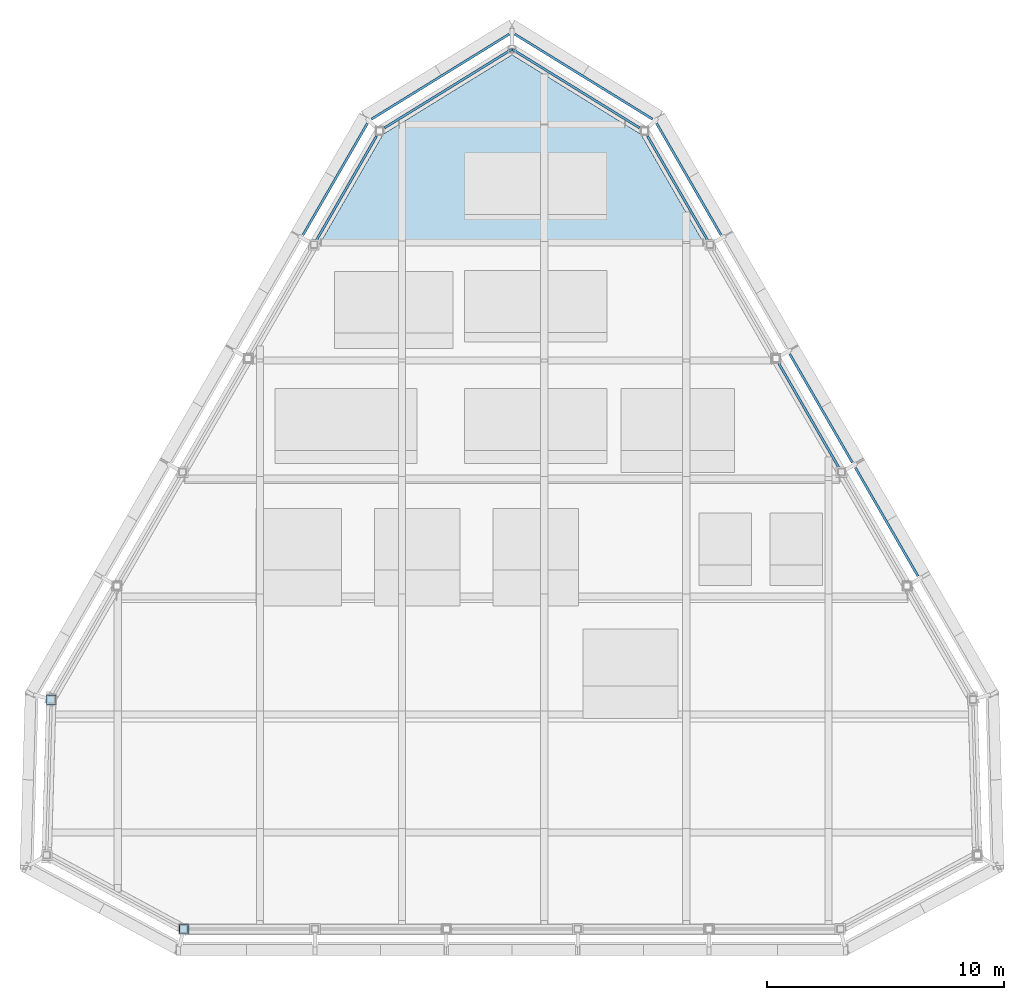
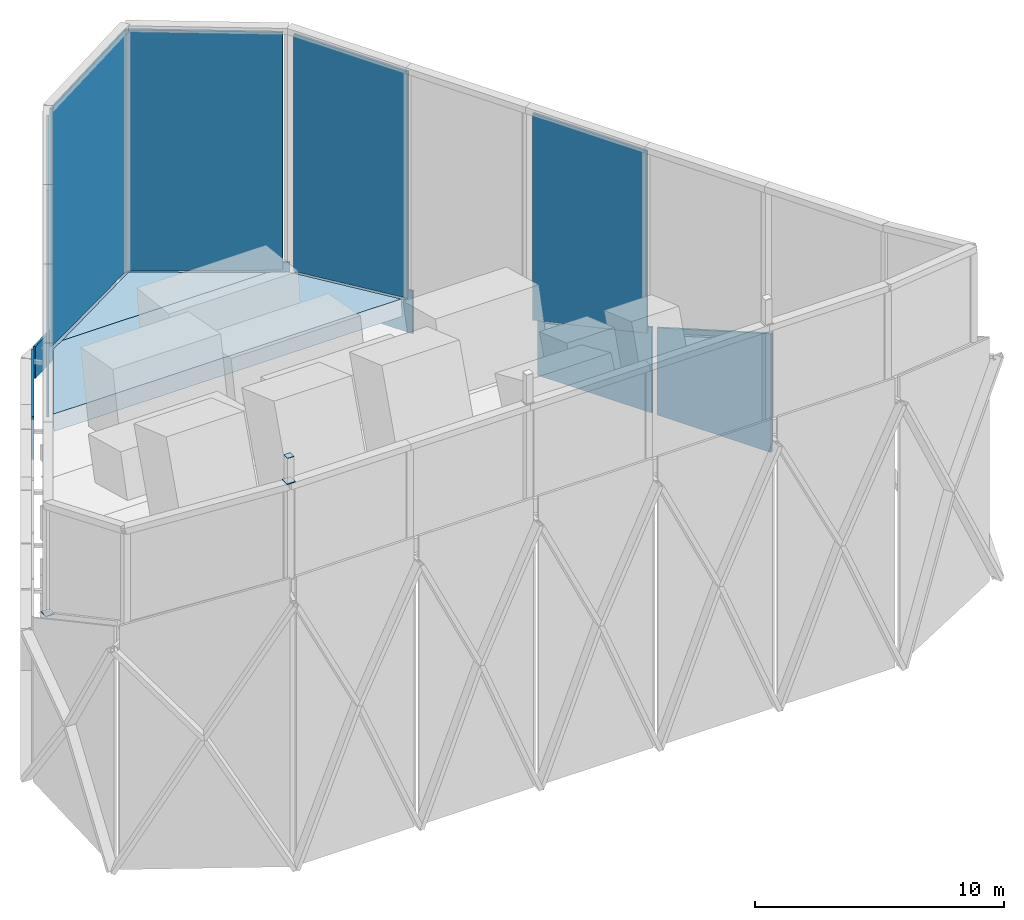
# One storey, part 6 of 13: 14 plates, 2 slabs.
"""IFC4 building model written with IfcOpenShell, lengths in metres."""

from ifc_helpers import new_model, si_unit, direction, frame, origin, origin_2d, place, context, subcontext, project, spatial, polyline, rectangle, outline, extrude, material, layer, layer_set, type_object, element, save


model = new_model("IFC4")

# Units and contexts
model_context = context("Model", 3, precision=1e-05, world=origin(), true_north=direction((0.0, 1.0)))
body_context = subcontext(model_context, "Body", "Model", "MODEL_VIEW")
ifc_project = project(units=[si_unit("LENGTHUNIT", "METRE"), si_unit("AREAUNIT", "SQUARE_METRE"), si_unit("VOLUMEUNIT", "CUBIC_METRE"), si_unit("PLANEANGLEUNIT", "RADIAN"), si_unit("MASSUNIT", "GRAM", prefix="KILO")], contexts=[model_context])

# Site, building, storey
site_placement = place(None, origin())
site = spatial("IfcSite", under=ifc_project, at=site_placement, CompositionType="ELEMENT")
building_placement = place(site_placement, origin())
building = spatial("IfcBuilding", under=site, at=building_placement, Name="Firuza Gate Tower and Library", CompositionType="ELEMENT")
storey_placement = place(building_placement, frame((0.0, 0.0, 358.0)))
storey = spatial("IfcBuildingStorey", under=building, at=storey_placement, Name="Upper roof", CompositionType="ELEMENT", Elevation=358.0)

# Slabs
ifc_material_1 = material(Name="Steel S355 and ceramic coating", Category="steel")
ifc_layer_1 = layer(ifc_material_1, 0.800048828125)
ifc_layer_set_1 = layer_set([ifc_layer_1], Name="Crown roof strip 800")
slab_type = type_object("IfcSlabType", Name="Crown roof strip 800", PredefinedType="ROOF", material=ifc_layer_set_1)
slab_1_placement = place(storey_placement, frame((70.2275390625, 94.5, 1.183837890625), z_axis=(0.0, 0.036870692311, 0.999320044855), x_axis=(1.0, 0.0, 0.0)))
element("IfcSlab", 1, at=slab_1_placement, inside=storey, type_object=slab_type, Name="Crown roof strip 1", PredefinedType="ROOF", context=body_context, shape_type="SweptSolid", body=[
    extrude(outline(polyline([(0.0, 0.0), (9.544921875, 0.0), (4.7724609375, 2.946583622820211), (0.0, 0.0)])), origin(), (0.0, 0.0, -1.0), 0.800048828125),
])
slab_2_placement = place(storey_placement, frame((66.920166015625, 89.520263671875, 1.73828125), z_axis=(0.0, 0.110655461947, 0.99385882737), x_axis=(1.0, 0.0, 0.0)))
element("IfcSlab", 2, at=slab_2_placement, inside=storey, type_object=slab_type, Name="Crown roof strip 2", PredefinedType="ROOF", context=body_context, shape_type="SweptSolid", body=[
    extrude(outline(polyline([(0.0, 0.0), (16.15966796875, 0.0), (13.52392578125, 4.593638853416232), (12.852294921875, 5.010507093737251), (3.307373046875, 5.010507093737251), (2.6357421875, 4.593638853416232), (0.0, 0.0)])), origin(), (0.0, 0.0, -1.0), 0.800048828125),
])

# Plates
ifc_material_2 = material(Name="Steel S355", Category="steel")
ifc_layer_2 = layer(ifc_material_2, 0.0400390625)
ifc_layer_set_2 = layer_set([ifc_layer_2], Name="Finial mast base plate")
plate_type_1 = type_object("IfcPlateType", Name="Finial mast base plate", PredefinedType="SHEET", material=ifc_layer_set_2)
for number, where, z_axis, x_axis, name in (
    (3, (55.55078125, 70.22802734375, 7.663330078125), (0.0, 0.0, 1.0), (1.0, 0.0, 0.0), "Finial mast base plate 1"),
    (4, (61.142822265625, 60.54248046875, 18.05859375), (0.0, 0.0, 1.0), (1.0, 0.0, 0.0), "Finial mast base plate 3"),
):
    element("IfcPlate", number, at=place(storey_placement, frame(where, z_axis=z_axis, x_axis=x_axis)), inside=storey, type_object=plate_type_1, Name=name, PredefinedType="SHEET", context=body_context, shape_type="SweptSolid", body=[
        extrude(rectangle(XDim=0.39990234375, YDim=0.39990234375, at=origin_2d()), origin(), (0.0, 0.0, 1.0), 0.0400390625),
    ])
ifc_material_3 = material(Name="Steel S355", Category="steel")
ifc_layer_3 = layer(ifc_material_3, 0.02001953125)
ifc_layer_set_3 = layer_set([ifc_layer_3], Name="Finial mast cap plate")
plate_type_2 = type_object("IfcPlateType", Name="Finial mast cap plate", PredefinedType="SHEET", material=ifc_layer_set_3)
plate_1_placement = place(storey_placement, frame((61.142822265625, 60.54248046875, 19.298583984375), z_axis=(0.0, 0.0, 1.0), x_axis=(1.0, 0.0, 0.0)))
element("IfcPlate", 5, at=plate_1_placement, inside=storey, type_object=plate_type_2, Name="Finial mast cap plate 3", PredefinedType="SHEET", context=body_context, shape_type="SweptSolid", body=[
    extrude(rectangle(XDim=0.3046875, YDim=0.3046875, at=origin_2d()), origin(), (0.0, 0.0, 1.0), 0.02001953125),
])
ifc_material_4 = material(Name="Perforated ceramic tile")
ifc_layer_4 = layer(ifc_material_4, 0.10009765625)
ifc_layer_set_4 = layer_set([ifc_layer_4], Name="Perforated ceramic SCREEN panel")
plate_type_3 = type_object("IfcPlateType", Name="Perforated ceramic SCREEN panel", PredefinedType="SHEET", material=ifc_layer_set_4)
plate_2_placement = place(storey_placement, frame((92.1806640625, 75.457275390625, -0.39990234375), z_axis=(0.866036087236, 0.499981495263, 0.0), x_axis=(-0.499981495263, 0.866036087236, 0.0)))
element("IfcPlate", 6, at=plate_2_placement, inside=storey, type_object=plate_type_3, Name="SCREEN roof band 11", PredefinedType="SHEET", context=body_context, shape_type="SweptSolid", body=[
    extrude(outline(polyline([(0.0, 0.0), (5.302930633678593, 0.0), (5.302930633678593, 4.266845703125001), (0.0, 5.830322265625001), (0.0, 0.0)])), origin(), (0.0, 0.0, -1.0), 0.10009765625),
])
plate_3_placement = place(storey_placement, frame((89.4091796875, 80.257568359375, -0.39990234375), z_axis=(0.866024577697, 0.500001430823, 0.0), x_axis=(-0.500001430823, 0.866024577697, 0.0)))
element("IfcPlate", 7, at=plate_3_placement, inside=storey, type_object=plate_type_3, Name="SCREEN roof band 12", PredefinedType="SHEET", context=body_context, shape_type="SweptSolid", body=[
    extrude(outline(polyline([(0.0, 0.0), (5.302719200491929, 0.0), (5.302719200491929, 3.012939453125001), (0.0, 4.204589843750001), (0.0, 0.0)])), origin(), (0.0, 0.0, -1.0), 0.10009765625),
])
plate_4_placement = place(storey_placement, frame((83.866455078125, 89.858154296875, -0.39990234375), z_axis=(0.866005936556, 0.500033716714, 0.0), x_axis=(-0.500033716714, 0.866005936556, 0.0)))
element("IfcPlate", 8, at=plate_4_placement, inside=storey, type_object=plate_type_3, Name="SCREEN roof band 14", PredefinedType="SHEET", context=body_context, shape_type="SweptSolid", body=[
    extrude(outline(polyline([(0.0, 0.0), (5.454222046862617, 0.0), (5.454222046862617, 1.583251953125), (0.0, 2.09619140625), (0.0, 0.0)])), origin(), (0.0, 0.0, -1.0), 0.10009765625),
])
plate_5_placement = place(storey_placement, frame((80.9599609375, 94.76611328125, -0.39990234375), z_axis=(0.52510293472, 0.851038722943, 0.0), x_axis=(-0.851038722943, 0.52510293472, 0.0)))
element("IfcPlate", 9, at=plate_5_placement, inside=storey, type_object=plate_type_3, Name="SCREEN roof band 15", PredefinedType="SHEET", context=body_context, shape_type="SweptSolid", body=[
    extrude(outline(polyline([(0.0, 0.0), (6.852265133818294, 0.0), (6.852265133818294, 1.41162109375), (0.0, 1.5693359375), (0.0, 0.0)])), origin(), (0.0, 0.0, -1.0), 0.10009765625),
])
plate_6_placement = place(storey_placement, frame((74.87158203125, 98.3642578125, -0.39990234375), z_axis=(-0.52510293472, 0.851038722943, 0.0), x_axis=(-0.851038722943, -0.52510293472, 0.0)))
element("IfcPlate", 10, at=plate_6_placement, inside=storey, type_object=plate_type_3, Name="SCREEN roof band 16", PredefinedType="SHEET", context=body_context, shape_type="SweptSolid", body=[
    extrude(outline(polyline([(0.0, 0.0), (6.852265133818294, 0.0), (6.852265133818294, 1.5693359375), (0.0, 1.41162109375), (0.0, 0.0)])), origin(), (0.0, 0.0, -1.0), 0.10009765625),
])
plate_7_placement = place(storey_placement, frame((68.86083984375, 94.58154296875, -0.39990234375), z_axis=(-0.866005936556, 0.500033716714, 0.0), x_axis=(-0.500033716714, -0.866005936556, 0.0)))
element("IfcPlate", 11, at=plate_7_placement, inside=storey, type_object=plate_type_3, Name="SCREEN roof band 17", PredefinedType="SHEET", context=body_context, shape_type="SweptSolid", body=[
    extrude(outline(polyline([(0.0, 0.0), (5.454222046862617, 0.0), (5.454222046862617, 2.09619140625), (0.0, 1.583251953125), (0.0, 0.0)])), origin(), (0.0, 0.0, -1.0), 0.10009765625),
])
plate_8_placement = place(storey_placement, frame((88.94970703125, 79.853515625, 3.922119140625), z_axis=(0.866031967744, 0.499988630717, 0.0), x_axis=(-0.487376830942, 0.844187027469, -0.223186216678)))
element("IfcPlate", 12, at=plate_8_placement, inside=storey, type_object=plate_type_3, Name="SCREEN cresting 12", PredefinedType="SHEET", context=body_context, shape_type="SweptSolid", body=[
    extrude(outline(polyline([(0.0, 0.0), (5.430057825865996, 0.0), (3.165011966221307, 9.892689538061195), (-1.9945633450959563, 8.711345005670813), (0.0, 0.0)])), origin(), (0.0, 0.0, -1.0), 0.10009765625),
])
plate_9_placement = place(storey_placement, frame((83.40673828125, 89.4541015625, 1.751953125), z_axis=(0.866020436474, 0.500008603535, 0.0), x_axis=(-0.497585805116, 0.86182412279, -0.098323689535)))
element("IfcPlate", 13, at=plate_9_placement, inside=storey, type_object=plate_type_3, Name="SCREEN cresting 14", PredefinedType="SHEET", context=body_context, shape_type="SweptSolid", body=[
    extrude(outline(polyline([(0.0, 0.0), (5.318649261677118, 0.0), (4.175156274693961, 11.573530058767865), (-1.0920746903562795, 11.053114797497381), (0.0, 0.0)])), origin(), (0.0, 0.0, -1.0), 0.10009765625),
])
plate_10_placement = place(storey_placement, frame((80.405517578125, 94.4033203125, 1.197509765625), z_axis=(0.525084113158, 0.851050335826, 0.0), x_axis=(-0.850729574429, 0.524886208632, -0.027452853784)))
element("IfcPlate", 14, at=plate_10_placement, inside=storey, type_object=plate_type_3, Name="SCREEN cresting 15", PredefinedType="SHEET", context=body_context, shape_type="SweptSolid", body=[
    extrude(outline(polyline([(0.0, 0.0), (6.322985061661044, -2.7755575615628914e-17), (5.998081609506745, 11.83050033341486), (-0.32013807641204073, 11.656981772950756), (0.0, 0.0)])), origin(), (0.0, 0.0, -1.0), 0.10009765625),
])
plate_11_placement = place(storey_placement, frame((74.9736328125, 97.72216796875, 1.02392578125), z_axis=(-0.525084113158, 0.851050335826, 0.0), x_axis=(-0.850729574429, -0.524886208632, 0.027452853784)))
element("IfcPlate", 15, at=plate_11_placement, inside=storey, type_object=plate_type_3, Name="SCREEN cresting 16", PredefinedType="SHEET", context=body_context, shape_type="SweptSolid", body=[
    extrude(outline(polyline([(0.0, 0.0), (6.322985061661044, 2.7755575615628914e-17), (6.643123138073085, 11.656981772950756), (0.3249034521542989, 11.83050033341486), (0.0, 0.0)])), origin(), (0.0, 0.0, -1.0), 0.10009765625),
])
plate_12_placement = place(storey_placement, frame((69.23974609375, 94.037841796875, 1.22900390625), z_axis=(-0.866020436474, 0.500008603535, 0.0), x_axis=(-0.497585805116, -0.86182412279, 0.098323689535)))
element("IfcPlate", 16, at=plate_12_placement, inside=storey, type_object=plate_type_3, Name="SCREEN cresting 17", PredefinedType="SHEET", context=body_context, shape_type="SweptSolid", body=[
    extrude(outline(polyline([(0.0, 0.0), (5.318649261677118, 0.0), (6.410723952033398, 11.053114797497381), (1.1434929869831565, 11.573530058767865), (0.0, 0.0)])), origin(), (0.0, 0.0, -1.0), 0.10009765625),
])

save(model, "model.ifc")
